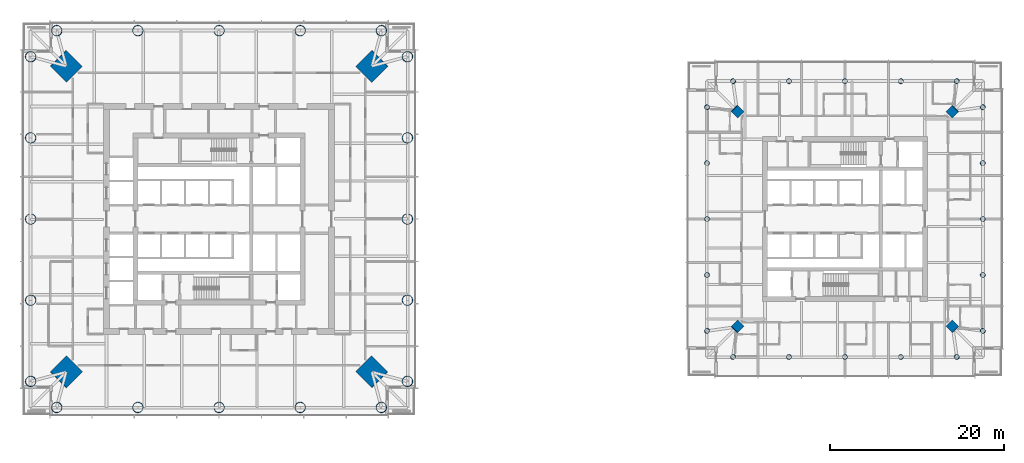
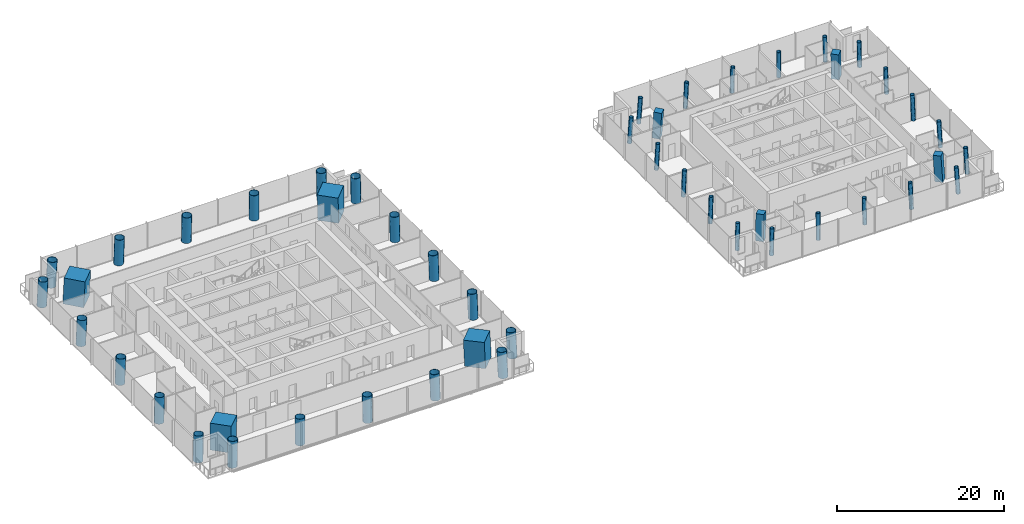
# One storey, part 1 of 18: 48 columns.
"""IFC4 building model written with IfcOpenShell, lengths in metres."""

from ifc_helpers import new_model, si_unit, direction, frame, origin, origin_2d, place, context, subcontext, project, spatial, rectangle, hollow_circle, extrude, material, material_profile, profile_set, type_object, element, save


model = new_model("IFC4")

# Units and contexts
model_context = context("Model", 3, precision=1e-05, world=origin(), true_north=direction((0.0, 1.0)))
body_context = subcontext(model_context, "Body", "Model", "MODEL_VIEW")
ifc_project = project(units=[si_unit("LENGTHUNIT", "METRE"), si_unit("AREAUNIT", "SQUARE_METRE"), si_unit("VOLUMEUNIT", "CUBIC_METRE"), si_unit("PLANEANGLEUNIT", "RADIAN"), si_unit("MASSUNIT", "GRAM", prefix="KILO")], contexts=[model_context])

# Site, building, storey
site_placement = place(None, origin())
site = spatial("IfcSite", under=ifc_project, at=site_placement, CompositionType="ELEMENT")
building_placement = place(site_placement, origin())
building = spatial("IfcBuilding", under=site, at=building_placement, Name="Ostroluk Exchange", CompositionType="ELEMENT")
storey_placement = place(building_placement, frame((0.0, 0.0, 93.199951171875)))
storey = spatial("IfcBuildingStorey", under=building, at=storey_placement, Name="L23", CompositionType="ELEMENT", Elevation=93.199951171875)

# Columns
ifc_material_1 = material(Name="Concrete C50/60", Category="concrete")
ifc_material_profile_1 = material_profile(ifc_material_1, rectangle(XDim=1.0, YDim=1.0, at=origin_2d()), Name="RC 1000x1000")
ifc_profile_set_1 = profile_set([ifc_material_profile_1], Name="Concrete C50/60")
column_type_1 = type_object("IfcColumnType", Name="Mega column RC 1000x1000", PredefinedType="COLUMN", material=ifc_profile_set_1)
for number, where, z_axis, x_axis, name in (
    (1, (129.387939453125, 58.387939453125, 0.0), (-0.043029647111, -0.043029647111, 0.998146732169), (0.707106781187, -0.707106781187, 0.0), "T2 mega column NE"),
    (2, (104.612060546875, 58.387939453125, 0.0), (0.043029647111, -0.043029647111, 0.998146732169), (0.707106781187, 0.707106781187, 0.0), "T2 mega column NW"),
    (3, (104.612060546875, 33.612060546875, 0.0), (0.043029647111, 0.043029647111, 0.998146732169), (-0.707106781187, 0.707106781187, 0.0), "T2 mega column SW"),
    (4, (129.387939453125, 33.612060546875, 0.0), (-0.043029647111, 0.043029647111, 0.998146732169), (-0.707106781187, -0.707106781187, 0.0), "T2 mega column SE"),
):
    element("IfcColumn", number, at=place(storey_placement, frame(where, z_axis=z_axis, x_axis=x_axis)), inside=storey, type_object=column_type_1, Name=name, PredefinedType="COLUMN", context=body_context, shape_type="SweptSolid", body=[
        extrude(rectangle(XDim=1.0, YDim=1.0, at=origin_2d()), origin(), (0.0, 0.0, 1.0), 3.80712890625),
    ])
ifc_material_2 = material(Name="Concrete C50/60", Category="concrete")
ifc_material_profile_2 = material_profile(ifc_material_2, rectangle(XDim=2.60009765625, YDim=2.60009765625, at=origin_2d()), Name="RC 2600x2600")
ifc_profile_set_2 = profile_set([ifc_material_profile_2], Name="Concrete C50/60")
column_type_2 = type_object("IfcColumnType", Name="Mega column RC 2600x2600", PredefinedType="COLUMN", material=ifc_profile_set_2)
for number, where, z_axis, x_axis, name in (
    (5, (62.5927734375, 63.5927734375, 0.0), (-0.031898107953, -0.031898107953, 0.998981992539), (0.707106781187, -0.707106781187, 0.0), "T1 mega column NE"),
    (6, (27.4072265625, 63.5927734375, 0.0), (0.031898107953, -0.031898107953, 0.998981992539), (0.707106781187, 0.707106781187, 0.0), "T1 mega column NW"),
    (7, (27.4072265625, 28.4072265625, 0.0), (0.031898107953, 0.031898107953, 0.998981992539), (-0.707106781187, 0.707106781187, 0.0), "T1 mega column SW"),
    (8, (62.5927734375, 28.4072265625, 0.0), (-0.031898107953, 0.031898107953, 0.998981992539), (-0.707106781187, -0.707106781187, 0.0), "T1 mega column SE"),
):
    element("IfcColumn", number, at=place(storey_placement, frame(where, z_axis=z_axis, x_axis=x_axis)), inside=storey, type_object=column_type_2, Name=name, PredefinedType="COLUMN", context=body_context, shape_type="SweptSolid", body=[
        extrude(rectangle(XDim=2.60009765625, YDim=2.60009765625, at=origin_2d()), origin(), (0.0, 0.0, 1.0), 3.803955078125),
    ])
ifc_material_3 = material(Name="Steel S460", Category="steel")
ifc_material_profile_3 = material_profile(ifc_material_3, hollow_circle(Radius=0.609619140625, WallThickness=0.0400390625, at=origin_2d()), Name="CHS 1219x40")
ifc_profile_set_3 = profile_set([ifc_material_profile_3], Name="Steel S460")
column_type_3 = type_object("IfcColumnType", Name="Perimeter column CHS 1219x40", PredefinedType="COLUMN", material=ifc_profile_set_3)
for number, where, z_axis, x_axis, name in (
    (9, (66.69287109375, 27.30712890625, 0.0), (-0.031898107953, 0.031898107953, 0.998981992539), (-0.707106781187, -0.707106781187, 0.0), "T1 east face column E0"),
    (10, (66.69287109375, 64.69287109375, 0.0), (-0.031898107953, -0.031898107953, 0.998981992539), (0.707106781187, -0.707106781187, 0.0), "T1 east face column E1"),
):
    element("IfcColumn", number, at=place(storey_placement, frame(where, z_axis=z_axis, x_axis=x_axis)), inside=storey, type_object=column_type_3, Name=name, PredefinedType="COLUMN", context=body_context, shape_type="SweptSolid", body=[
        extrude(hollow_circle(Radius=0.609619140625, WallThickness=0.0400390625, at=origin_2d()), origin(), (0.0, 0.0, 1.0), 3.803955078125),
    ])
column_1_placement = place(storey_placement, frame((66.69287109375, 36.653564453125, 0.0), z_axis=(-0.031910269556, 0.015987237665, 0.999362868496), x_axis=(-0.447933021895, -0.894067115991, 0.0)))
element("IfcColumn", 11, at=column_1_placement, inside=storey, type_object=column_type_3, Name="T1 east face column I1", PredefinedType="COLUMN", context=body_context, shape_type="SweptSolid", body=[
    extrude(hollow_circle(Radius=0.609619140625, WallThickness=0.0400390625, at=origin_2d()), origin(), (0.0, 0.0, 1.0), 3.802490234375),
])
column_2_placement = place(storey_placement, frame((66.69287109375, 46.0, 0.0), z_axis=(-0.031914348339, 0.0, 0.999490607445), x_axis=(0.0, -1.0, 0.0)))
element("IfcColumn", 12, at=column_2_placement, inside=storey, type_object=column_type_3, Name="T1 east face column I2", PredefinedType="COLUMN", context=body_context, shape_type="SweptSolid", body=[
    extrude(hollow_circle(Radius=0.609619140625, WallThickness=0.0400390625, at=origin_2d()), origin(), (0.0, 0.0, 1.0), 3.802001953125),
])
column_3_placement = place(storey_placement, frame((66.69287109375, 55.346435546875, 0.0), z_axis=(-0.031910269556, -0.015987237665, 0.999362868496), x_axis=(0.447933021895, -0.894067115991, 0.0)))
element("IfcColumn", 13, at=column_3_placement, inside=storey, type_object=column_type_3, Name="T1 east face column I3", PredefinedType="COLUMN", context=body_context, shape_type="SweptSolid", body=[
    extrude(hollow_circle(Radius=0.609619140625, WallThickness=0.0400390625, at=origin_2d()), origin(), (0.0, 0.0, 1.0), 3.802490234375),
])
for number, where, z_axis, x_axis, name in (
    (14, (63.69287109375, 67.69287109375, 0.0), (-0.031898107953, -0.031898107953, 0.998981992539), (0.707106781187, -0.707106781187, 0.0), "T1 north face column E0"),
    (15, (26.30712890625, 67.69287109375, 0.0), (0.031898107953, -0.031898107953, 0.998981992539), (0.707106781187, 0.707106781187, 0.0), "T1 north face column E1"),
):
    element("IfcColumn", number, at=place(storey_placement, frame(where, z_axis=z_axis, x_axis=x_axis)), inside=storey, type_object=column_type_3, Name=name, PredefinedType="COLUMN", context=body_context, shape_type="SweptSolid", body=[
        extrude(hollow_circle(Radius=0.609619140625, WallThickness=0.0400390625, at=origin_2d()), origin(), (0.0, 0.0, 1.0), 3.803955078125),
    ])
column_4_placement = place(storey_placement, frame((54.346435546875, 67.69287109375, 0.0), z_axis=(-0.015987237665, -0.031910269556, 0.999362868496), x_axis=(0.894067115991, -0.447933021895, 0.0)))
element("IfcColumn", 16, at=column_4_placement, inside=storey, type_object=column_type_3, Name="T1 north face column I1", PredefinedType="COLUMN", context=body_context, shape_type="SweptSolid", body=[
    extrude(hollow_circle(Radius=0.609619140625, WallThickness=0.0400390625, at=origin_2d()), origin(), (0.0, 0.0, 1.0), 3.802490234375),
])
column_5_placement = place(storey_placement, frame((45.0, 67.69287109375, 0.0), z_axis=(0.0, -0.031914348339, 0.999490607445), x_axis=(1.0, 0.0, 0.0)))
element("IfcColumn", 17, at=column_5_placement, inside=storey, type_object=column_type_3, Name="T1 north face column I2", PredefinedType="COLUMN", context=body_context, shape_type="SweptSolid", body=[
    extrude(hollow_circle(Radius=0.609619140625, WallThickness=0.0400390625, at=origin_2d()), origin(), (0.0, 0.0, 1.0), 3.802001953125),
])
column_6_placement = place(storey_placement, frame((35.653564453125, 67.69287109375, 0.0), z_axis=(0.015987237665, -0.031910269556, 0.999362868496), x_axis=(0.894067115991, 0.447933021895, 0.0)))
element("IfcColumn", 18, at=column_6_placement, inside=storey, type_object=column_type_3, Name="T1 north face column I3", PredefinedType="COLUMN", context=body_context, shape_type="SweptSolid", body=[
    extrude(hollow_circle(Radius=0.609619140625, WallThickness=0.0400390625, at=origin_2d()), origin(), (0.0, 0.0, 1.0), 3.802490234375),
])
for number, where, z_axis, x_axis, name in (
    (19, (23.30712890625, 64.69287109375, 0.0), (0.031898107953, -0.031898107953, 0.998981992539), (0.707106781187, 0.707106781187, 0.0), "T1 west face column E0"),
    (20, (23.30712890625, 27.30712890625, 0.0), (0.031898107953, 0.031898107953, 0.998981992539), (-0.707106781187, 0.707106781187, 0.0), "T1 west face column E1"),
):
    element("IfcColumn", number, at=place(storey_placement, frame(where, z_axis=z_axis, x_axis=x_axis)), inside=storey, type_object=column_type_3, Name=name, PredefinedType="COLUMN", context=body_context, shape_type="SweptSolid", body=[
        extrude(hollow_circle(Radius=0.609619140625, WallThickness=0.0400390625, at=origin_2d()), origin(), (0.0, 0.0, 1.0), 3.803955078125),
    ])
column_7_placement = place(storey_placement, frame((23.30712890625, 55.346435546875, 0.0), z_axis=(0.031910269556, -0.015987237665, 0.999362868496), x_axis=(0.447933021895, 0.894067115991, 0.0)))
element("IfcColumn", 21, at=column_7_placement, inside=storey, type_object=column_type_3, Name="T1 west face column I1", PredefinedType="COLUMN", context=body_context, shape_type="SweptSolid", body=[
    extrude(hollow_circle(Radius=0.609619140625, WallThickness=0.0400390625, at=origin_2d()), origin(), (0.0, 0.0, 1.0), 3.802490234375),
])
column_8_placement = place(storey_placement, frame((23.30712890625, 46.0, 0.0), z_axis=(0.031914348339, 0.0, 0.999490607445), x_axis=(0.0, 1.0, 0.0)))
element("IfcColumn", 22, at=column_8_placement, inside=storey, type_object=column_type_3, Name="T1 west face column I2", PredefinedType="COLUMN", context=body_context, shape_type="SweptSolid", body=[
    extrude(hollow_circle(Radius=0.609619140625, WallThickness=0.0400390625, at=origin_2d()), origin(), (0.0, 0.0, 1.0), 3.802001953125),
])
column_9_placement = place(storey_placement, frame((23.30712890625, 36.653564453125, 0.0), z_axis=(0.031910269556, 0.015987237665, 0.999362868496), x_axis=(-0.447933021895, 0.894067115991, 0.0)))
element("IfcColumn", 23, at=column_9_placement, inside=storey, type_object=column_type_3, Name="T1 west face column I3", PredefinedType="COLUMN", context=body_context, shape_type="SweptSolid", body=[
    extrude(hollow_circle(Radius=0.609619140625, WallThickness=0.0400390625, at=origin_2d()), origin(), (0.0, 0.0, 1.0), 3.802490234375),
])
for number, where, z_axis, x_axis, name in (
    (24, (26.30712890625, 24.30712890625, 0.0), (0.031898107953, 0.031898107953, 0.998981992539), (-0.707106781187, 0.707106781187, 0.0), "T1 south face column E0"),
    (25, (63.69287109375, 24.30712890625, 0.0), (-0.031898107953, 0.031898107953, 0.998981992539), (-0.707106781187, -0.707106781187, 0.0), "T1 south face column E1"),
):
    element("IfcColumn", number, at=place(storey_placement, frame(where, z_axis=z_axis, x_axis=x_axis)), inside=storey, type_object=column_type_3, Name=name, PredefinedType="COLUMN", context=body_context, shape_type="SweptSolid", body=[
        extrude(hollow_circle(Radius=0.609619140625, WallThickness=0.0400390625, at=origin_2d()), origin(), (0.0, 0.0, 1.0), 3.803955078125),
    ])
column_10_placement = place(storey_placement, frame((35.653564453125, 24.30712890625, 0.0), z_axis=(0.015987237665, 0.031910269556, 0.999362868496), x_axis=(-0.894067115991, 0.447933021895, 0.0)))
element("IfcColumn", 26, at=column_10_placement, inside=storey, type_object=column_type_3, Name="T1 south face column I1", PredefinedType="COLUMN", context=body_context, shape_type="SweptSolid", body=[
    extrude(hollow_circle(Radius=0.609619140625, WallThickness=0.0400390625, at=origin_2d()), origin(), (0.0, 0.0, 1.0), 3.802490234375),
])
column_11_placement = place(storey_placement, frame((45.0, 24.30712890625, 0.0), z_axis=(0.0, 0.031914348339, 0.999490607445), x_axis=(-1.0, 0.0, 0.0)))
element("IfcColumn", 27, at=column_11_placement, inside=storey, type_object=column_type_3, Name="T1 south face column I2", PredefinedType="COLUMN", context=body_context, shape_type="SweptSolid", body=[
    extrude(hollow_circle(Radius=0.609619140625, WallThickness=0.0400390625, at=origin_2d()), origin(), (0.0, 0.0, 1.0), 3.802001953125),
])
column_12_placement = place(storey_placement, frame((54.346435546875, 24.30712890625, 0.0), z_axis=(-0.015987237665, 0.031910269556, 0.999362868496), x_axis=(-0.894067115991, -0.447933021895, 0.0)))
element("IfcColumn", 28, at=column_12_placement, inside=storey, type_object=column_type_3, Name="T1 south face column I3", PredefinedType="COLUMN", context=body_context, shape_type="SweptSolid", body=[
    extrude(hollow_circle(Radius=0.609619140625, WallThickness=0.0400390625, at=origin_2d()), origin(), (0.0, 0.0, 1.0), 3.802490234375),
])
ifc_material_4 = material(Name="Steel S460", Category="steel")
ifc_material_profile_4 = material_profile(ifc_material_4, hollow_circle(Radius=0.279541015625, WallThickness=0.02001953125, at=origin_2d()), Name="CHS 559x20")
ifc_profile_set_4 = profile_set([ifc_material_profile_4], Name="Steel S460")
column_type_4 = type_object("IfcColumnType", Name="Perimeter column CHS 559x20", PredefinedType="COLUMN", material=ifc_profile_set_4)
for number, where, z_axis, x_axis, name in (
    (29, (132.887939453125, 33.112060546875, 0.0), (-0.043029647111, 0.043029647111, 0.998146732169), (-0.707106781187, -0.707106781187, 0.0), "T2 east face column E0"),
    (30, (132.887939453125, 58.887939453125, 0.0), (-0.043029647111, -0.043029647111, 0.998146732169), (0.707106781187, -0.707106781187, 0.0), "T2 east face column E1"),
):
    element("IfcColumn", number, at=place(storey_placement, frame(where, z_axis=z_axis, x_axis=x_axis)), inside=storey, type_object=column_type_4, Name=name, PredefinedType="COLUMN", context=body_context, shape_type="SweptSolid", body=[
        extrude(hollow_circle(Radius=0.279541015625, WallThickness=0.02001953125, at=origin_2d()), origin(), (0.0, 0.0, 1.0), 3.80712890625),
    ])
column_13_placement = place(storey_placement, frame((132.887939453125, 39.55615234375, 0.0), z_axis=(-0.043059584825, 0.021497706284, 0.998841188968), x_axis=(-0.446680166538, -0.894693706707, 0.0)))
element("IfcColumn", 31, at=column_13_placement, inside=storey, type_object=column_type_4, Name="T2 east face column I1", PredefinedType="COLUMN", context=body_context, shape_type="SweptSolid", body=[
    extrude(hollow_circle(Radius=0.279541015625, WallThickness=0.02001953125, at=origin_2d()), origin(), (0.0, 0.0, 1.0), 3.804443359375),
])
column_14_placement = place(storey_placement, frame((132.887939453125, 46.0, 0.0), z_axis=(-0.043069538298, 0.0, 0.999072076915), x_axis=(0.0, -1.0, 0.0)))
element("IfcColumn", 32, at=column_14_placement, inside=storey, type_object=column_type_4, Name="T2 east face column I2", PredefinedType="COLUMN", context=body_context, shape_type="SweptSolid", body=[
    extrude(hollow_circle(Radius=0.279541015625, WallThickness=0.02001953125, at=origin_2d()), origin(), (0.0, 0.0, 1.0), 3.803466796875),
])
column_15_placement = place(storey_placement, frame((132.887939453125, 52.44384765625, 0.0), z_axis=(-0.043059584825, -0.021497706284, 0.998841188968), x_axis=(0.446680166538, -0.894693706707, 0.0)))
element("IfcColumn", 33, at=column_15_placement, inside=storey, type_object=column_type_4, Name="T2 east face column I3", PredefinedType="COLUMN", context=body_context, shape_type="SweptSolid", body=[
    extrude(hollow_circle(Radius=0.279541015625, WallThickness=0.02001953125, at=origin_2d()), origin(), (0.0, 0.0, 1.0), 3.804443359375),
])
for number, where, z_axis, x_axis, name in (
    (34, (129.887939453125, 61.887939453125, 0.0), (-0.043029647111, -0.043029647111, 0.998146732169), (0.707106781187, -0.707106781187, 0.0), "T2 north face column E0"),
    (35, (104.112060546875, 61.887939453125, 0.0), (0.043029647111, -0.043029647111, 0.998146732169), (0.707106781187, 0.707106781187, 0.0), "T2 north face column E1"),
):
    element("IfcColumn", number, at=place(storey_placement, frame(where, z_axis=z_axis, x_axis=x_axis)), inside=storey, type_object=column_type_4, Name=name, PredefinedType="COLUMN", context=body_context, shape_type="SweptSolid", body=[
        extrude(hollow_circle(Radius=0.279541015625, WallThickness=0.02001953125, at=origin_2d()), origin(), (0.0, 0.0, 1.0), 3.80712890625),
    ])
column_16_placement = place(storey_placement, frame((123.44384765625, 61.887939453125, 0.0), z_axis=(-0.021497706284, -0.043059584825, 0.998841188968), x_axis=(0.894693706707, -0.446680166538, 0.0)))
element("IfcColumn", 36, at=column_16_placement, inside=storey, type_object=column_type_4, Name="T2 north face column I1", PredefinedType="COLUMN", context=body_context, shape_type="SweptSolid", body=[
    extrude(hollow_circle(Radius=0.279541015625, WallThickness=0.02001953125, at=origin_2d()), origin(), (0.0, 0.0, 1.0), 3.804443359375),
])
column_17_placement = place(storey_placement, frame((117.0, 61.887939453125, 0.0), z_axis=(0.0, -0.043069538298, 0.999072076915), x_axis=(1.0, 0.0, 0.0)))
element("IfcColumn", 37, at=column_17_placement, inside=storey, type_object=column_type_4, Name="T2 north face column I2", PredefinedType="COLUMN", context=body_context, shape_type="SweptSolid", body=[
    extrude(hollow_circle(Radius=0.279541015625, WallThickness=0.02001953125, at=origin_2d()), origin(), (0.0, 0.0, 1.0), 3.803466796875),
])
column_18_placement = place(storey_placement, frame((110.55615234375, 61.887939453125, 0.0), z_axis=(0.021497706284, -0.043059584825, 0.998841188968), x_axis=(0.894693706707, 0.446680166538, 0.0)))
element("IfcColumn", 38, at=column_18_placement, inside=storey, type_object=column_type_4, Name="T2 north face column I3", PredefinedType="COLUMN", context=body_context, shape_type="SweptSolid", body=[
    extrude(hollow_circle(Radius=0.279541015625, WallThickness=0.02001953125, at=origin_2d()), origin(), (0.0, 0.0, 1.0), 3.804443359375),
])
for number, where, z_axis, x_axis, name in (
    (39, (101.112060546875, 58.887939453125, 0.0), (0.043029647111, -0.043029647111, 0.998146732169), (0.707106781187, 0.707106781187, 0.0), "T2 west face column E0"),
    (40, (101.112060546875, 33.112060546875, 0.0), (0.043029647111, 0.043029647111, 0.998146732169), (-0.707106781187, 0.707106781187, 0.0), "T2 west face column E1"),
):
    element("IfcColumn", number, at=place(storey_placement, frame(where, z_axis=z_axis, x_axis=x_axis)), inside=storey, type_object=column_type_4, Name=name, PredefinedType="COLUMN", context=body_context, shape_type="SweptSolid", body=[
        extrude(hollow_circle(Radius=0.279541015625, WallThickness=0.02001953125, at=origin_2d()), origin(), (0.0, 0.0, 1.0), 3.80712890625),
    ])
column_19_placement = place(storey_placement, frame((101.112060546875, 52.44384765625, 0.0), z_axis=(0.043059584825, -0.021497706284, 0.998841188968), x_axis=(0.446680166538, 0.894693706707, 0.0)))
element("IfcColumn", 41, at=column_19_placement, inside=storey, type_object=column_type_4, Name="T2 west face column I1", PredefinedType="COLUMN", context=body_context, shape_type="SweptSolid", body=[
    extrude(hollow_circle(Radius=0.279541015625, WallThickness=0.02001953125, at=origin_2d()), origin(), (0.0, 0.0, 1.0), 3.804443359375),
])
column_20_placement = place(storey_placement, frame((101.112060546875, 46.0, 0.0), z_axis=(0.043069538298, 0.0, 0.999072076915), x_axis=(0.0, 1.0, 0.0)))
element("IfcColumn", 42, at=column_20_placement, inside=storey, type_object=column_type_4, Name="T2 west face column I2", PredefinedType="COLUMN", context=body_context, shape_type="SweptSolid", body=[
    extrude(hollow_circle(Radius=0.279541015625, WallThickness=0.02001953125, at=origin_2d()), origin(), (0.0, 0.0, 1.0), 3.803466796875),
])
column_21_placement = place(storey_placement, frame((101.112060546875, 39.55615234375, 0.0), z_axis=(0.043059584825, 0.021497706284, 0.998841188968), x_axis=(-0.446680166538, 0.894693706707, 0.0)))
element("IfcColumn", 43, at=column_21_placement, inside=storey, type_object=column_type_4, Name="T2 west face column I3", PredefinedType="COLUMN", context=body_context, shape_type="SweptSolid", body=[
    extrude(hollow_circle(Radius=0.279541015625, WallThickness=0.02001953125, at=origin_2d()), origin(), (0.0, 0.0, 1.0), 3.804443359375),
])
for number, where, z_axis, x_axis, name in (
    (44, (104.112060546875, 30.112060546875, 0.0), (0.043029647111, 0.043029647111, 0.998146732169), (-0.707106781187, 0.707106781187, 0.0), "T2 south face column E0"),
    (45, (129.887939453125, 30.112060546875, 0.0), (-0.043029647111, 0.043029647111, 0.998146732169), (-0.707106781187, -0.707106781187, 0.0), "T2 south face column E1"),
):
    element("IfcColumn", number, at=place(storey_placement, frame(where, z_axis=z_axis, x_axis=x_axis)), inside=storey, type_object=column_type_4, Name=name, PredefinedType="COLUMN", context=body_context, shape_type="SweptSolid", body=[
        extrude(hollow_circle(Radius=0.279541015625, WallThickness=0.02001953125, at=origin_2d()), origin(), (0.0, 0.0, 1.0), 3.80712890625),
    ])
column_22_placement = place(storey_placement, frame((110.55615234375, 30.112060546875, 0.0), z_axis=(0.021497706284, 0.043059584825, 0.998841188968), x_axis=(-0.894693706707, 0.446680166538, 0.0)))
element("IfcColumn", 46, at=column_22_placement, inside=storey, type_object=column_type_4, Name="T2 south face column I1", PredefinedType="COLUMN", context=body_context, shape_type="SweptSolid", body=[
    extrude(hollow_circle(Radius=0.279541015625, WallThickness=0.02001953125, at=origin_2d()), origin(), (0.0, 0.0, 1.0), 3.804443359375),
])
column_23_placement = place(storey_placement, frame((117.0, 30.112060546875, 0.0), z_axis=(0.0, 0.043069538298, 0.999072076915), x_axis=(-1.0, 0.0, 0.0)))
element("IfcColumn", 47, at=column_23_placement, inside=storey, type_object=column_type_4, Name="T2 south face column I2", PredefinedType="COLUMN", context=body_context, shape_type="SweptSolid", body=[
    extrude(hollow_circle(Radius=0.279541015625, WallThickness=0.02001953125, at=origin_2d()), origin(), (0.0, 0.0, 1.0), 3.803466796875),
])
column_24_placement = place(storey_placement, frame((123.44384765625, 30.112060546875, 0.0), z_axis=(-0.021497706284, 0.043059584825, 0.998841188968), x_axis=(-0.894693706707, -0.446680166538, 0.0)))
element("IfcColumn", 48, at=column_24_placement, inside=storey, type_object=column_type_4, Name="T2 south face column I3", PredefinedType="COLUMN", context=body_context, shape_type="SweptSolid", body=[
    extrude(hollow_circle(Radius=0.279541015625, WallThickness=0.02001953125, at=origin_2d()), origin(), (0.0, 0.0, 1.0), 3.804443359375),
])

save(model, "model.ifc")
